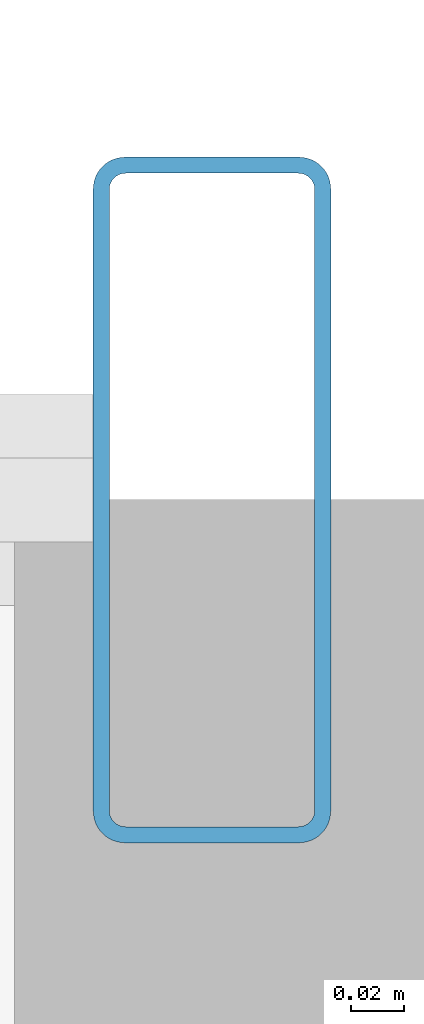
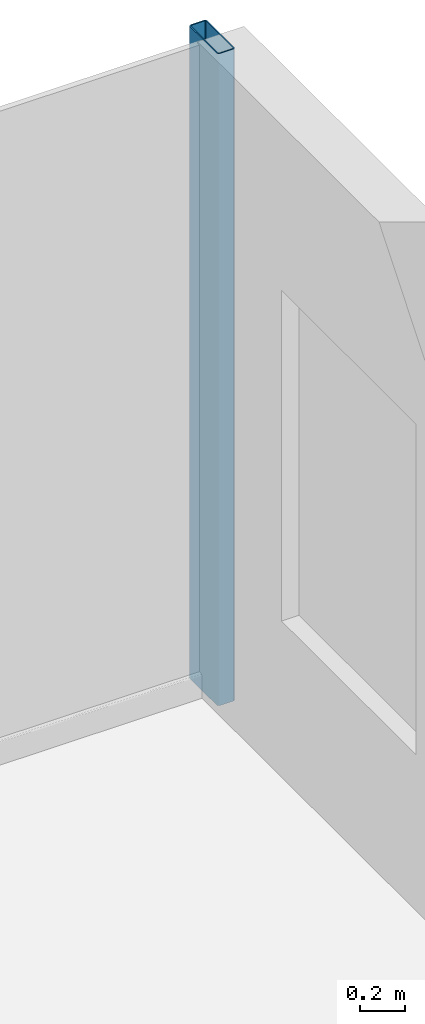
# One storey, part 14 of 25: 1 member, 1 element without a shape of its own.
"""IFC4 building model written with IfcOpenShell, lengths in metres."""

from ifc_helpers import new_model, si_unit, direction, frame, origin, origin_2d, place, context, subcontext, project, spatial, hollow_rectangle, extrude, source, transform, mapped, material, layer, layer_set, material_profile, profile_set, type_object, element, aggregate, save


model = new_model("IFC4")

# Units and contexts
model_context = context("Model", 3, precision=1e-05, world=origin(), true_north=direction((0.0, 1.0)))
body_context = subcontext(model_context, "Body", "Model", "MODEL_VIEW")
ifc_project = project(units=[si_unit("LENGTHUNIT", "METRE"), si_unit("AREAUNIT", "SQUARE_METRE"), si_unit("VOLUMEUNIT", "CUBIC_METRE"), si_unit("PLANEANGLEUNIT", "RADIAN"), si_unit("MASSUNIT", "GRAM", prefix="KILO")], contexts=[model_context])

# Site, building, storey
site_placement = place(None, origin())
site = spatial("IfcSite", under=ifc_project, at=site_placement, CompositionType="ELEMENT")
building_placement = place(site_placement, origin())
building = spatial("IfcBuilding", under=site, at=building_placement, Name="Nefas-Gora Pilgrimage Tower", CompositionType="ELEMENT")
storey_placement = place(building_placement, frame((0.0, 0.0, 98.39990234375)))
storey = spatial("IfcBuildingStorey", under=building, at=storey_placement, Name="L23", CompositionType="ELEMENT", Elevation=98.39990234375)

# Curtain wall, member
ifc_material_1 = material(Name="Dark ceramic-fritted solar-control aluminium-glass curtain wall", Category="aluminium")
ifc_layer = layer(ifc_material_1, 0.219970703125)
ifc_layer_set = layer_set([ifc_layer], Name="Dark ceramic-fritted solar-control aluminium-glass curtain wall")
curtain_wall_type = type_object("IfcCurtainWallType", Name="CW-SYS-2", PredefinedType="NOTDEFINED", material=ifc_layer_set)
curtain_wall_placement = place(storey_placement, origin())
curtain_wall = element("IfcCurtainWall", 1, at=curtain_wall_placement, inside=storey, type_object=curtain_wall_type, Name="L23 Unitised Curtain Wall CW2", PredefinedType="NOTDEFINED")
ifc_material_2 = material(Name="Anodised architectural aluminium", Category="aluminium")
ifc_material_profile = material_profile(ifc_material_2, hollow_rectangle(XDim=0.090087890625, YDim=0.260009765625, WallThickness=0.006103515625, InnerFilletRadius=0.006103515625, OuterFilletRadius=0.011962890625, at=origin_2d()), Name="ALU MULLION 90x260")
ifc_profile_set = profile_set([ifc_material_profile], Name="Anodised architectural aluminium")
member_type = type_object("IfcMemberType", Name="CWM-MUL-2", PredefinedType="MULLION", material=ifc_profile_set)
shared_shape = source(origin(), body_context, "Body", "SweptSolid", [
    extrude(hollow_rectangle(XDim=0.090087890625, YDim=0.260009765625, WallThickness=0.006103515625, InnerFilletRadius=0.006103515625, OuterFilletRadius=0.011962890625, at=origin_2d()), origin(), (0.0, 0.0, 1.0), 3.550048828125),
])
member_placement = place(storey_placement, frame((28.824951171875, 23.02001953125, 0.0), z_axis=(0.0, 0.0, 1.0), x_axis=(-1.0, 0.0, 0.0)))
member = element("IfcMember", 2, at=member_placement, type_object=member_type, Name="CW2 Mullion 1", PredefinedType="MULLION", context=body_context, shape_type="MappedRepresentation", body=[
    mapped(shared_shape, transform((0.0, 0.0, 0.0), x_axis=(1.0, 0.0, 0.0), y_axis=(0.0, 1.0, 0.0), z_axis=(0.0, 0.0, 1.0), scale=1.0)),
])
aggregate(curtain_wall, [member])

save(model, "model.ifc")
